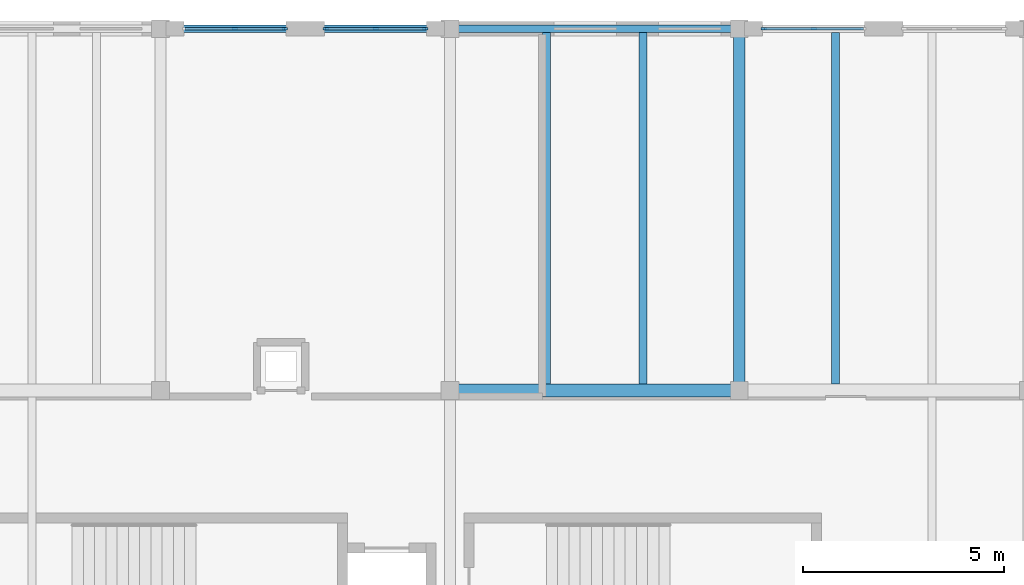
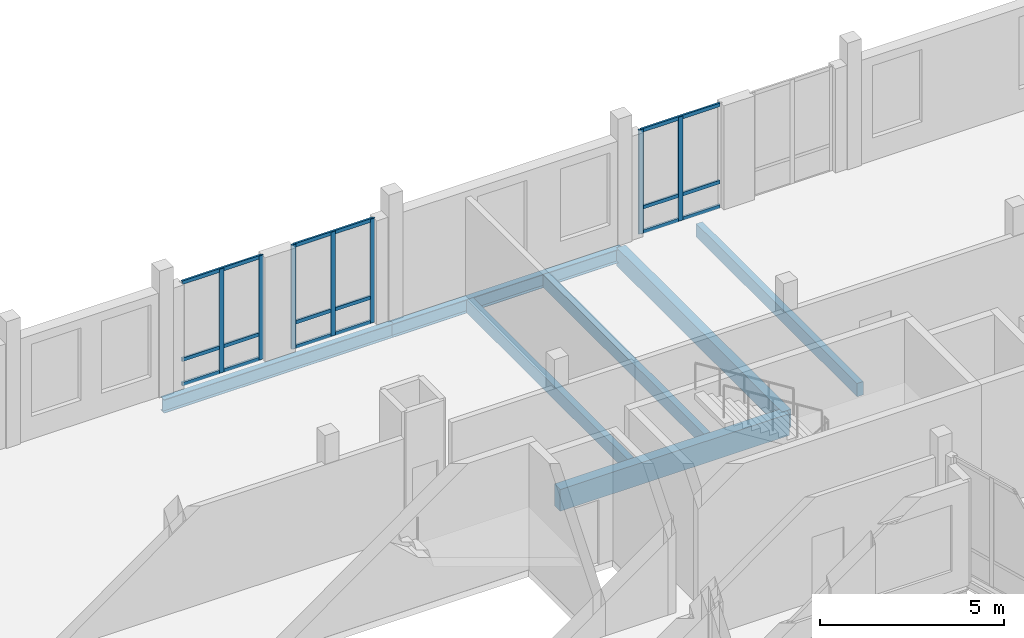
# One storey, part 25 of 81: 16 members, 7 beams, 3 elements without a shape of their own.
"""IFC4 building model written with IfcOpenShell, lengths in metres."""

from ifc_helpers import new_model, si_unit, direction, frame, origin, origin_2d, place, context, subcontext, project, spatial, rectangle, i_section, extrude, material, material_profile, profile_set, type_object, element, aggregate, save


model = new_model("IFC4")

# Units and contexts
model_context = context("Model", 3, precision=1e-05, world=origin(), true_north=direction((0.0, 1.0)))
body_context = subcontext(model_context, "Body", "Model", "MODEL_VIEW")
ifc_project = project(units=[si_unit("LENGTHUNIT", "METRE"), si_unit("AREAUNIT", "SQUARE_METRE"), si_unit("VOLUMEUNIT", "CUBIC_METRE"), si_unit("PLANEANGLEUNIT", "RADIAN"), si_unit("MASSUNIT", "GRAM", prefix="KILO")], contexts=[model_context])

# Site, building, storey
site_placement = place(None, origin())
site = spatial("IfcSite", under=ifc_project, at=site_placement, CompositionType="ELEMENT")
building_placement = place(site_placement, origin())
building = spatial("IfcBuilding", under=site, at=building_placement, Name="Kahlenmark Community Centre", CompositionType="ELEMENT")
storey_placement = place(building_placement, frame((0.0, 0.0, 9.60009765625)))
storey = spatial("IfcBuildingStorey", under=building, at=storey_placement, Name="L02", CompositionType="ELEMENT", Elevation=9.60009765625)

# Beams
ifc_material_1 = material(Name="Glulam GL32h", Category="wood")
ifc_material_profile_1 = material_profile(ifc_material_1, rectangle(XDim=0.280029296875, YDim=0.60009765625, at=origin_2d()), Name="GL32h 280x600")
ifc_profile_set_1 = profile_set([ifc_material_profile_1], Name="Glulam GL32h")
beam_type_1 = type_object("IfcBeamType", Name="BT-BEAM-GL32h280x600", PredefinedType="BEAM", material=ifc_profile_set_1)
beam_1_placement = place(storey_placement, frame((65.199951171875, 106.0, -0.52001953125), z_axis=(0.0, 1.0, 0.0), x_axis=(-1.0, 0.0, 0.0)))
element("IfcBeam", 1, at=beam_1_placement, inside=storey, type_object=beam_type_1, Name="L02 beam BG-GL32h280x600", PredefinedType="BEAM", context=body_context, shape_type="SweptSolid", body=[
    extrude(rectangle(XDim=0.280029296875, YDim=0.60009765625, at=origin_2d()), origin(), (0.0, 0.0, 1.0), 9.0),
])
ifc_material_profile_2 = material_profile(ifc_material_1, rectangle(XDim=0.320068359375, YDim=0.719970703125, at=origin_2d()), Name="GL32h 320x720")
ifc_profile_set_2 = profile_set([ifc_material_profile_2], Name="Glulam GL32h")
beam_type_2 = type_object("IfcBeamType", Name="BT-BEAM-GL32h320x720", PredefinedType="BEAM", material=ifc_profile_set_2)
beam_2_placement = place(storey_placement, frame((58.0, 106.0, -0.580078125), z_axis=(1.0, 0.0, 0.0), x_axis=(0.0, 1.0, 0.0)))
element("IfcBeam", 2, at=beam_2_placement, inside=storey, type_object=beam_type_2, Name="L02 beam BG-GL32h320x720", PredefinedType="BEAM", context=body_context, shape_type="SweptSolid", body=[
    extrude(rectangle(XDim=0.320068359375, YDim=0.719970703125, at=origin_2d()), origin(), (0.0, 0.0, 1.0), 7.199951171875),
])
ifc_material_2 = material(Name="Glulam GL28h", Category="wood")
ifc_material_profile_3 = material_profile(ifc_material_2, rectangle(XDim=0.199951171875, YDim=0.43994140625, at=origin_2d()), Name="GL28h 200x440")
ifc_profile_set_3 = profile_set([ifc_material_profile_3], Name="Glulam GL28h")
beam_type_3 = type_object("IfcBeamType", Name="BT-JOIST-GL28h200x440", PredefinedType="JOIST", material=ifc_profile_set_3)
for number, where, z_axis, x_axis, name in (
    (3, (60.39990234375, 106.157958984375, -0.440185546875), (0.0, 1.0, 0.0), (-1.0, 0.0, 0.0), "L02 joist BJ-GL28h200x440"),
    (4, (62.800048828125, 106.157958984375, -0.440185546875), (0.0, 1.0, 0.0), (-1.0, 0.0, 0.0), "L02 joist BJ-GL28h200x440"),
    (5, (67.60009765625, 106.157958984375, -0.440185546875), (0.0, 1.0, 0.0), (-1.0, 0.0, 0.0), "L02 joist BJ-GL28h200x440"),
):
    element("IfcBeam", number, at=place(storey_placement, frame(where, z_axis=z_axis, x_axis=x_axis)), inside=storey, type_object=beam_type_3, Name=name, PredefinedType="JOIST", context=body_context, shape_type="SweptSolid", body=[
        extrude(rectangle(XDim=0.199951171875, YDim=0.43994140625, at=origin_2d()), origin(), (0.0, 0.0, 1.0), 8.7490234375),
    ])
ifc_material_3 = material(Name="Steel S355", Category="steel")
ifc_material_profile_4 = material_profile(ifc_material_3, i_section(OverallWidth=0.18994140625, OverallDepth=0.449951171875, WebThickness=0.009521484375, FlangeThickness=0.0146484375, at=origin_2d()), Name="IPE 450")
ifc_profile_set_4 = profile_set([ifc_material_profile_4], Name="Steel S355")
beam_type_4 = type_object("IfcBeamType", Name="BT-SPANDREL-IPE450", PredefinedType="SPANDREL", material=ifc_profile_set_4)
for number, where, z_axis, x_axis, name in (
    (6, (50.800048828125, 115.0, -0.445068359375), (1.0, 0.0, 0.0), (0.0, 1.0, 0.0), "L02 spandrel SP-IPE450"),
    (7, (58.0, 115.0, -0.445068359375), (1.0, 0.0, 0.0), (0.0, 1.0, 0.0), "L02 spandrel SP-IPE450"),
):
    element("IfcBeam", number, at=place(storey_placement, frame(where, z_axis=z_axis, x_axis=x_axis)), inside=storey, type_object=beam_type_4, Name=name, PredefinedType="SPANDREL", context=body_context, shape_type="SweptSolid", body=[
        extrude(i_section(OverallWidth=0.18994140625, OverallDepth=0.449951171875, WebThickness=0.009521484375, FlangeThickness=0.0146484375, at=origin_2d()), origin(), (0.0, 0.0, 1.0), 7.199951171875),
    ])

# Curtain wall, members
ifc_material_4 = material(Name="Anodised aluminium unitised curtain wall", Category="aluminium")
curtain_wall_type = type_object("IfcCurtainWallType", Name="CWT-UNIT-254X345", PredefinedType="USERDEFINED", material=ifc_material_4)
curtain_wall_1_placement = place(storey_placement, origin())
curtain_wall_1 = element("IfcCurtainWall", 8, at=curtain_wall_1_placement, inside=storey, type_object=curtain_wall_type, Name="Unitised curtain wall CW-093", ObjectType="UNITISED CURTAIN WALL", PredefinedType="USERDEFINED")
ifc_material_5 = material(Name="Anodised aluminium 6063-T6", Category="aluminium")
ifc_material_profile_5 = material_profile(ifc_material_5, rectangle(XDim=0.06005859375, YDim=0.139892578125, at=origin_2d()), Name="ALU MULLION 60x140")
ifc_profile_set_5 = profile_set([ifc_material_profile_5], Name="Anodised aluminium 6063-T6")
member_type_1 = type_object("IfcMemberType", Name="MT-MUL-140", PredefinedType="MULLION", material=ifc_profile_set_5)
member_1_placement = place(storey_placement, frame((57.389892578125, 115.0, 0.0), z_axis=(0.0, 0.0, 1.0), x_axis=(0.0, -1.0, 0.0)))
member_1 = element("IfcMember", 9, at=member_1_placement, type_object=member_type_1, Name="CW-093 mullion 1", PredefinedType="MULLION", context=body_context, shape_type="SweptSolid", body=[
    extrude(rectangle(XDim=0.06005859375, YDim=0.139892578125, at=origin_2d()), origin(), (0.0, 0.0, 1.0), 3.449951171875),
])
member_2_placement = place(storey_placement, frame((56.14990234375, 115.0, 0.0), z_axis=(0.0, 0.0, 1.0), x_axis=(0.0, -1.0, 0.0)))
member_2 = element("IfcMember", 10, at=member_2_placement, type_object=member_type_1, Name="CW-093 mullion 2", PredefinedType="MULLION", context=body_context, shape_type="SweptSolid", body=[
    extrude(rectangle(XDim=0.06005859375, YDim=0.139892578125, at=origin_2d()), origin(), (0.0, 0.0, 1.0), 3.449951171875),
])
member_3_placement = place(storey_placement, frame((54.909912109375, 115.0, 0.0), z_axis=(0.0, 0.0, 1.0), x_axis=(0.0, -1.0, 0.0)))
member_3 = element("IfcMember", 11, at=member_3_placement, type_object=member_type_1, Name="CW-093 mullion 3", PredefinedType="MULLION", context=body_context, shape_type="SweptSolid", body=[
    extrude(rectangle(XDim=0.06005859375, YDim=0.139892578125, at=origin_2d()), origin(), (0.0, 0.0, 1.0), 3.449951171875),
])

curtain_wall_2_placement = place(storey_placement, origin())
curtain_wall_2 = element("IfcCurtainWall", 12, at=curtain_wall_2_placement, inside=storey, type_object=curtain_wall_type, Name="Unitised curtain wall CW-094", ObjectType="UNITISED CURTAIN WALL", PredefinedType="USERDEFINED")
member_4_placement = place(storey_placement, frame((53.889892578125, 115.0, 0.0), z_axis=(0.0, 0.0, 1.0), x_axis=(0.0, -1.0, 0.0)))
member_4 = element("IfcMember", 13, at=member_4_placement, type_object=member_type_1, Name="CW-094 mullion 1", PredefinedType="MULLION", context=body_context, shape_type="SweptSolid", body=[
    extrude(rectangle(XDim=0.06005859375, YDim=0.139892578125, at=origin_2d()), origin(), (0.0, 0.0, 1.0), 3.449951171875),
])
member_5_placement = place(storey_placement, frame((52.64990234375, 115.0, 0.0), z_axis=(0.0, 0.0, 1.0), x_axis=(0.0, -1.0, 0.0)))
member_5 = element("IfcMember", 14, at=member_5_placement, type_object=member_type_1, Name="CW-094 mullion 2", PredefinedType="MULLION", context=body_context, shape_type="SweptSolid", body=[
    extrude(rectangle(XDim=0.06005859375, YDim=0.139892578125, at=origin_2d()), origin(), (0.0, 0.0, 1.0), 3.449951171875),
])

curtain_wall_3_placement = place(storey_placement, origin())
curtain_wall_3 = element("IfcCurtainWall", 15, at=curtain_wall_3_placement, inside=storey, type_object=curtain_wall_type, Name="Unitised curtain wall CW-096", ObjectType="UNITISED CURTAIN WALL", PredefinedType="USERDEFINED")
member_6_placement = place(storey_placement, frame((67.050048828125, 115.0, 0.0), z_axis=(0.0, 0.0, 1.0), x_axis=(0.0, -1.0, 0.0)))
member_6 = element("IfcMember", 16, at=member_6_placement, type_object=member_type_1, Name="CW-096 mullion 2", PredefinedType="MULLION", context=body_context, shape_type="SweptSolid", body=[
    extrude(rectangle(XDim=0.06005859375, YDim=0.139892578125, at=origin_2d()), origin(), (0.0, 0.0, 1.0), 3.449951171875),
])
member_7_placement = place(storey_placement, frame((65.81005859375, 115.0, 0.0), z_axis=(0.0, 0.0, 1.0), x_axis=(0.0, -1.0, 0.0)))
member_7 = element("IfcMember", 17, at=member_7_placement, type_object=member_type_1, Name="CW-096 mullion 3", PredefinedType="MULLION", context=body_context, shape_type="SweptSolid", body=[
    extrude(rectangle(XDim=0.06005859375, YDim=0.139892578125, at=origin_2d()), origin(), (0.0, 0.0, 1.0), 3.449951171875),
])

# Member
ifc_material_profile_6 = material_profile(ifc_material_5, rectangle(XDim=0.06005859375, YDim=0.1201171875, at=origin_2d()), Name="ALU TRANSOM 60x120")
ifc_profile_set_6 = profile_set([ifc_material_profile_6], Name="Anodised aluminium 6063-T6")
member_type_2 = type_object("IfcMemberType", Name="MT-TRN-120", PredefinedType="USERDEFINED", material=ifc_profile_set_6)
member_8_placement = place(storey_placement, frame((57.389892578125, 115.0, 0.039794921875), z_axis=(-1.0, 0.0, 0.0), x_axis=(0.0, -1.0, 0.0)))
member_8 = element("IfcMember", 18, at=member_8_placement, type_object=member_type_2, Name="CW-093 transom 1", ObjectType="TRANSOM", PredefinedType="USERDEFINED", context=body_context, shape_type="SweptSolid", body=[
    extrude(rectangle(XDim=0.06005859375, YDim=0.1201171875, at=origin_2d()), origin(), (0.0, 0.0, 1.0), 2.47998046875),
])

member_9_placement = place(storey_placement, frame((57.389892578125, 115.0, 0.849853515625), z_axis=(-1.0, 0.0, 0.0), x_axis=(0.0, -1.0, 0.0)))
member_9 = element("IfcMember", 19, at=member_9_placement, type_object=member_type_2, Name="CW-093 transom 2", ObjectType="TRANSOM", PredefinedType="USERDEFINED", context=body_context, shape_type="SweptSolid", body=[
    extrude(rectangle(XDim=0.06005859375, YDim=0.1201171875, at=origin_2d()), origin(), (0.0, 0.0, 1.0), 2.47998046875),
])

member_10_placement = place(storey_placement, frame((57.389892578125, 115.0, 3.409912109375), z_axis=(-1.0, 0.0, 0.0), x_axis=(0.0, -1.0, 0.0)))
member_10 = element("IfcMember", 20, at=member_10_placement, type_object=member_type_2, Name="CW-093 transom 3", ObjectType="TRANSOM", PredefinedType="USERDEFINED", context=body_context, shape_type="SweptSolid", body=[
    extrude(rectangle(XDim=0.06005859375, YDim=0.1201171875, at=origin_2d()), origin(), (0.0, 0.0, 1.0), 2.47998046875),
])

aggregate(curtain_wall_1, [member_1, member_2, member_3, member_8, member_9, member_10])

member_11_placement = place(storey_placement, frame((53.889892578125, 115.0, 0.039794921875), z_axis=(-1.0, 0.0, 0.0), x_axis=(0.0, -1.0, 0.0)))
member_11 = element("IfcMember", 21, at=member_11_placement, type_object=member_type_2, Name="CW-094 transom 1", ObjectType="TRANSOM", PredefinedType="USERDEFINED", context=body_context, shape_type="SweptSolid", body=[
    extrude(rectangle(XDim=0.06005859375, YDim=0.1201171875, at=origin_2d()), origin(), (0.0, 0.0, 1.0), 2.47998046875),
])

member_12_placement = place(storey_placement, frame((53.889892578125, 115.0, 0.849853515625), z_axis=(-1.0, 0.0, 0.0), x_axis=(0.0, -1.0, 0.0)))
member_12 = element("IfcMember", 22, at=member_12_placement, type_object=member_type_2, Name="CW-094 transom 2", ObjectType="TRANSOM", PredefinedType="USERDEFINED", context=body_context, shape_type="SweptSolid", body=[
    extrude(rectangle(XDim=0.06005859375, YDim=0.1201171875, at=origin_2d()), origin(), (0.0, 0.0, 1.0), 2.47998046875),
])

member_13_placement = place(storey_placement, frame((53.889892578125, 115.0, 3.409912109375), z_axis=(-1.0, 0.0, 0.0), x_axis=(0.0, -1.0, 0.0)))
member_13 = element("IfcMember", 23, at=member_13_placement, type_object=member_type_2, Name="CW-094 transom 3", ObjectType="TRANSOM", PredefinedType="USERDEFINED", context=body_context, shape_type="SweptSolid", body=[
    extrude(rectangle(XDim=0.06005859375, YDim=0.1201171875, at=origin_2d()), origin(), (0.0, 0.0, 1.0), 2.47998046875),
])

aggregate(curtain_wall_2, [member_4, member_5, member_11, member_12, member_13])

member_14_placement = place(storey_placement, frame((68.2900390625, 115.0, 0.039794921875), z_axis=(-1.0, 0.0, 0.0), x_axis=(0.0, -1.0, 0.0)))
member_14 = element("IfcMember", 24, at=member_14_placement, type_object=member_type_2, Name="CW-096 transom 1", ObjectType="TRANSOM", PredefinedType="USERDEFINED", context=body_context, shape_type="SweptSolid", body=[
    extrude(rectangle(XDim=0.06005859375, YDim=0.1201171875, at=origin_2d()), origin(), (0.0, 0.0, 1.0), 2.47998046875),
])

member_15_placement = place(storey_placement, frame((68.2900390625, 115.0, 0.849853515625), z_axis=(-1.0, 0.0, 0.0), x_axis=(0.0, -1.0, 0.0)))
member_15 = element("IfcMember", 25, at=member_15_placement, type_object=member_type_2, Name="CW-096 transom 2", ObjectType="TRANSOM", PredefinedType="USERDEFINED", context=body_context, shape_type="SweptSolid", body=[
    extrude(rectangle(XDim=0.06005859375, YDim=0.1201171875, at=origin_2d()), origin(), (0.0, 0.0, 1.0), 2.47998046875),
])

member_16_placement = place(storey_placement, frame((68.2900390625, 115.0, 3.409912109375), z_axis=(-1.0, 0.0, 0.0), x_axis=(0.0, -1.0, 0.0)))
member_16 = element("IfcMember", 26, at=member_16_placement, type_object=member_type_2, Name="CW-096 transom 3", ObjectType="TRANSOM", PredefinedType="USERDEFINED", context=body_context, shape_type="SweptSolid", body=[
    extrude(rectangle(XDim=0.06005859375, YDim=0.1201171875, at=origin_2d()), origin(), (0.0, 0.0, 1.0), 2.47998046875),
])

aggregate(curtain_wall_3, [member_6, member_7, member_14, member_15, member_16])

save(model, "model.ifc")
